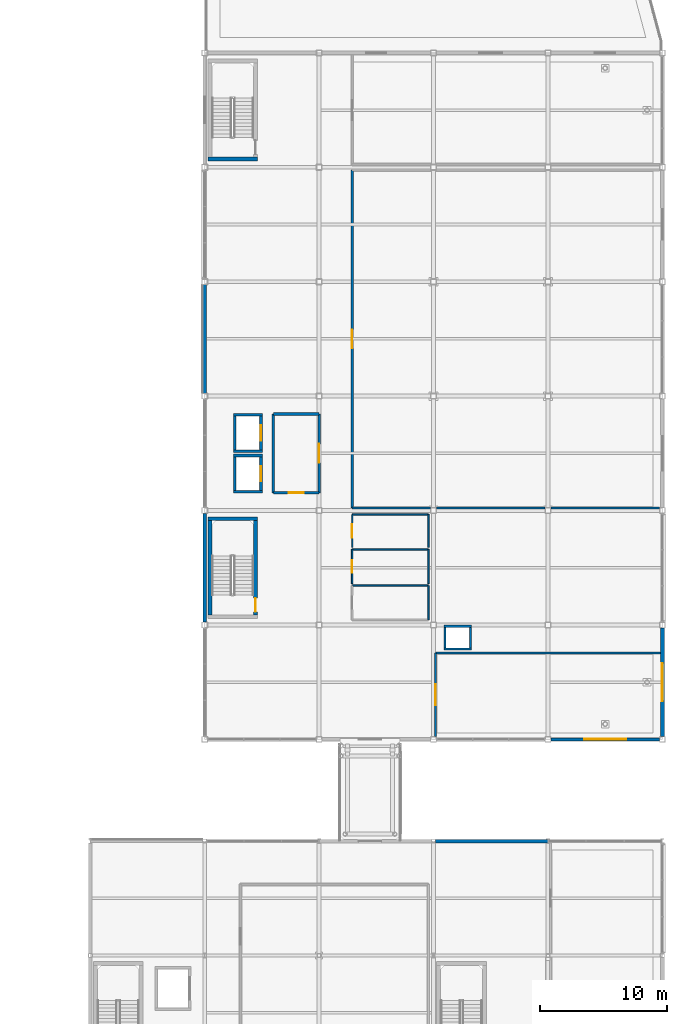
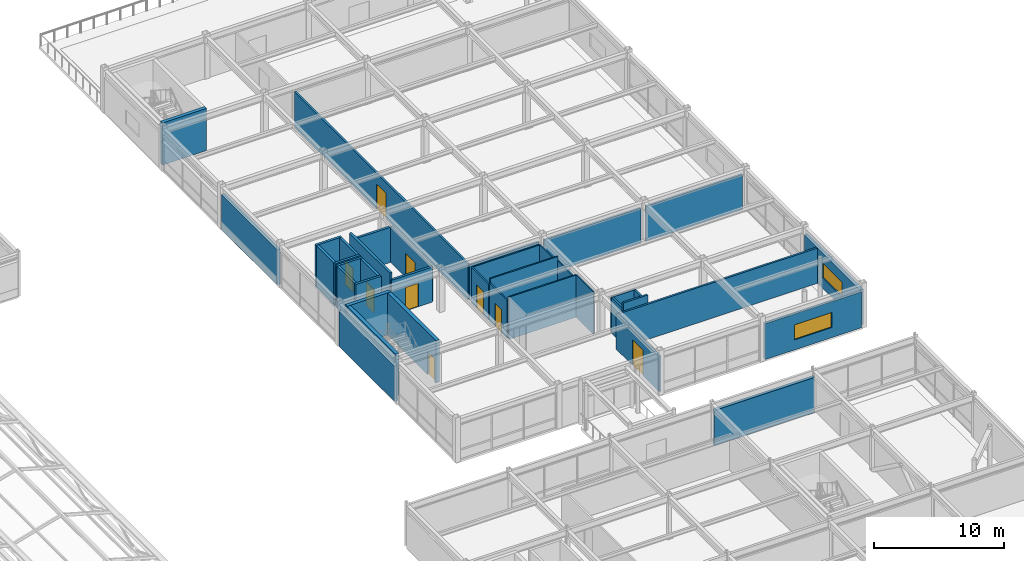
# One storey, part 82 of 108: 39 walls, 9 doors, 2 windows, 11 openings.
"""IFC4 building model written with IfcOpenShell, lengths in metres."""

import ifcopenshell
import ifcopenshell.guid

model = None  # the IFC model being written
_history = None  # IfcOwnerHistory: only IFC2X3 demands one
_inside = {}  # id of a spatial element -> (the spatial element, [elements in it])
_under = {}  # id of a project, library or spatial element -> (it, [spatial elements below it])
_declared = {}  # id of a project -> (the project, [libraries it declares])
_typed = {}  # id of a type object -> (the type object, [elements of that type])
_made_of = {}  # id of a material, layer set ... -> (it, [elements and type objects made of it])


def new_model(schema):
    """Start an empty IFC model of exactly this schema.

    Asked for "IFC4X3", IfcOpenShell would pick the latest addendum, in which some entities
    have other attributes; the version numbers below select the first issue.
    IFC2X3 requires an IfcOwnerHistory on every rooted entity: one is made here for all.
    """
    global model, _history
    if schema == "IFC4X3":
        model = ifcopenshell.file(schema_version=(4, 3, 0, 0))
    else:
        model = ifcopenshell.file(schema=schema)
    _inside.clear()
    _under.clear()
    _declared.clear()
    _typed.clear()
    _made_of.clear()
    _history = None
    if model.schema == "IFC2X3":
        org = make("IfcOrganization", Name="unknown")
        user = make(
            "IfcPersonAndOrganization",
            ThePerson=make("IfcPerson", FamilyName="unknown"),
            TheOrganization=org,
        )
        app = make(
            "IfcApplication",
            ApplicationDeveloper=org,
            Version="unknown",
            ApplicationFullName="unknown",
            ApplicationIdentifier="unknown",
        )
        _history = make(
            "IfcOwnerHistory",
            OwningUser=user,
            OwningApplication=app,
            ChangeAction="ADDED",
            CreationDate=0,
        )
    return model


def make(cls, **values):
    """One entity of the class cls with the attributes given. An attribute that is None is left unset."""
    return model.create_entity(
        cls, **{name: value for name, value in values.items() if value is not None}
    )


def rooted(cls, **values):
    """An entity with a GlobalId (a new one), such as an element, a storey or a relation."""
    return make(cls, GlobalId=ifcopenshell.guid.new(), OwnerHistory=_history, **values)


def si_unit(unit_type, name, prefix=None):
    """IfcSIUnit, for example si_unit("LENGTHUNIT", "METRE", prefix="MILLI")."""
    return make("IfcSIUnit", UnitType=unit_type, Prefix=prefix, Name=name)


def assignment(units):
    """IfcUnitAssignment: the units of a project."""
    return None if units is None else make("IfcUnitAssignment", Units=units)


def point(xyz):
    """IfcCartesianPoint."""
    return None if xyz is None else make("IfcCartesianPoint", Coordinates=xyz)


def direction(xyz):
    """IfcDirection."""
    return None if xyz is None else make("IfcDirection", DirectionRatios=xyz)


def frame(location, z_axis=None, x_axis=None):
    """IfcAxis2Placement3D, a coordinate frame: its origin and axes. An axis left out is left unset."""
    return make(
        "IfcAxis2Placement3D",
        Location=point(location),
        Axis=direction(z_axis),
        RefDirection=direction(x_axis),
    )


def frame_2d(location, x_axis=None):
    """IfcAxis2Placement2D, a coordinate frame in the plane: its origin and x axis."""
    return make(
        "IfcAxis2Placement2D", Location=point(location), RefDirection=direction(x_axis)
    )


def origin():
    """The frame at (0, 0, 0) with its axes left unset."""
    return frame((0.0, 0.0, 0.0))


def place(relative_to, where):
    """IfcLocalPlacement: puts the frame where relative to a parent placement (None: the world)."""
    return make(
        "IfcLocalPlacement", PlacementRelTo=relative_to, RelativePlacement=where
    )


def context(
    kind, dimensions, precision=None, world=None, true_north=None, identifier=None
):
    """IfcGeometricRepresentationContext, for example the 3D "Model" context."""
    return make(
        "IfcGeometricRepresentationContext",
        ContextIdentifier=identifier,
        ContextType=kind,
        CoordinateSpaceDimension=dimensions,
        Precision=precision,
        WorldCoordinateSystem=world,
        TrueNorth=true_north,
    )


def subcontext(parent, identifier, kind, view, scale=None):
    """IfcGeometricRepresentationSubContext, for example "Body" below "Model"."""
    return make(
        "IfcGeometricRepresentationSubContext",
        ContextIdentifier=identifier,
        ContextType=kind,
        ParentContext=parent,
        TargetScale=scale,
        TargetView=view,
    )


def project(units=None, contexts=None):
    """IfcProject with its units and contexts."""
    return rooted(
        "IfcProject",
        Name="project",
        RepresentationContexts=contexts,
        UnitsInContext=assignment(units),
    )


def spatial(cls, under=None, at=None, **own):
    """A site, building, storey or space (cls), placed at a placement, below another one or the project."""
    s = rooted(cls, ObjectPlacement=at, **own)
    if under is not None:
        _under.setdefault(under.id(), (under, []))[1].append(s)
    return s


def profile(cls, at=None, kind="AREA", **sizes):
    """A parametric profile (cls). Its sizes go by their IFC names, for example OverallWidth=200.0."""
    return make(cls, ProfileType=kind, Position=at, **sizes)


def rectangle(**sizes):
    """IfcRectangleProfileDef."""
    return profile("IfcRectangleProfileDef", **sizes)


def extrude(swept, where, along, depth):
    """IfcExtrudedAreaSolid: the profile swept, set in the frame where, extruded along a direction by depth."""
    return make(
        "IfcExtrudedAreaSolid",
        SweptArea=swept,
        Position=where,
        ExtrudedDirection=direction(along),
        Depth=depth,
    )


def shape(context_of_items, identifier, shape_type, items):
    """IfcShapeRepresentation: the items that make up one representation, for example the "Body"."""
    return make(
        "IfcShapeRepresentation",
        ContextOfItems=context_of_items,
        RepresentationIdentifier=identifier,
        RepresentationType=shape_type,
        Items=items,
    )


def material(Name=None, Category=None):
    """IfcMaterial."""
    return make("IfcMaterial", Name=Name, Category=Category)


def layer(
    of_material, thickness, ventilated=None, Name=None, Category=None, Priority=None
):
    """IfcMaterialLayer: one layer of a wall or slab, of a material (None: an air gap)."""
    return make(
        "IfcMaterialLayer",
        Material=of_material,
        LayerThickness=thickness,
        IsVentilated=ventilated,
        Name=Name,
        Category=Category,
        Priority=Priority,
    )


def layer_set(layers, Name=None):
    """IfcMaterialLayerSet."""
    return make("IfcMaterialLayerSet", MaterialLayers=layers, LayerSetName=Name)


def made_of(thing, what):
    """Note that an element or type object is made of a material, layer set ...; save() writes the relation."""
    if what is not None:
        _made_of.setdefault(what.id(), (what, []))[1].append(thing)
    return thing


def type_object(cls, material=None, **own):
    """A type object (cls), such as IfcWallType, which elements share."""
    return made_of(rooted(cls, **own), material)


def element(
    cls,
    number,
    at=None,
    inside=None,
    cuts=None,
    type_object=None,
    material=None,
    context=None,
    identifier="Body",
    shape_type=None,
    held_by="IfcProductDefinitionShape",
    body=None,
    shapes=None,
    **own,
):
    """One element of the class cls, such as IfcWall. Its Tag is "e" and its number.

    at: its placement. inside: the storey or other place that contains it. cuts: it is an
    opening in that element (IfcRelVoidsElement). A single representation is given by context,
    identifier, shape_type and body (its items); several are given by shapes. held_by: the class
    of the entity that holds the representations. save() writes the other relations.
    """
    e = rooted(cls, Tag="e%d" % number, ObjectPlacement=at, **own)
    if body is not None:
        shapes = [shape(context, identifier, shape_type, body)]
    if shapes is not None:
        e.Representation = make(held_by, Representations=shapes)
    if inside is not None:
        _inside.setdefault(inside.id(), (inside, []))[1].append(e)
    if cuts is not None:
        rooted(
            "IfcRelVoidsElement", RelatingBuildingElement=cuts, RelatedOpeningElement=e
        )
    if type_object is not None:
        _typed.setdefault(type_object.id(), (type_object, []))[1].append(e)
    return made_of(e, material)


def fill(opening, filler):
    """IfcRelFillsElement: the door or window that sits in an opening."""
    return rooted(
        "IfcRelFillsElement",
        RelatingOpeningElement=opening,
        RelatedBuildingElement=filler,
    )


def aggregate(whole, parts):
    """IfcRelAggregates: a whole, such as a stair, and the parts it consists of."""
    return rooted("IfcRelAggregates", RelatingObject=whole, RelatedObjects=parts)


def save(model, path):
    """Write the relations noted so far, then the file.

    IfcRelAggregates (storeys below a building ...), IfcRelContainedInSpatialStructure (elements
    in a storey), IfcRelDefinesByType, IfcRelAssociatesMaterial and IfcRelDeclares: one each for
    every whole, place, type object, material and project.
    """
    for whole, parts in _under.values():
        aggregate(whole, parts)
    for where, things in _inside.values():
        rooted(
            "IfcRelContainedInSpatialStructure",
            RelatedElements=things,
            RelatingStructure=where,
        )
    for kind, things in _typed.values():
        rooted("IfcRelDefinesByType", RelatedObjects=things, RelatingType=kind)
    for what, things in _made_of.values():
        rooted("IfcRelAssociatesMaterial", RelatedObjects=things, RelatingMaterial=what)
    for by, libraries in _declared.values():
        rooted("IfcRelDeclares", RelatingContext=by, RelatedDefinitions=libraries)
    model.write(path)


model = new_model("IFC4")

# Units and contexts
model_context = context("Model", 3, precision=1e-05, world=origin(), true_north=direction((0.0, 1.0)))
body_context = subcontext(model_context, "Body", "Model", "MODEL_VIEW")
ifc_project = project(units=[si_unit("LENGTHUNIT", "METRE"), si_unit("AREAUNIT", "SQUARE_METRE"), si_unit("VOLUMEUNIT", "CUBIC_METRE"), si_unit("PLANEANGLEUNIT", "RADIAN"), si_unit("MASSUNIT", "GRAM", prefix="KILO")], contexts=[model_context])

# Site, building, storey
site_placement = place(None, origin())
site = spatial("IfcSite", under=ifc_project, at=site_placement, CompositionType="ELEMENT")
building_placement = place(site_placement, origin())
building = spatial("IfcBuilding", under=site, at=building_placement, Name="Suzunagisa Mobility Hub", CompositionType="ELEMENT")
storey_placement = place(building_placement, frame((0.0, 0.0, 9.300048828125)))
storey = spatial("IfcBuildingStorey", under=building, at=storey_placement, Name="L02", CompositionType="ELEMENT", Elevation=9.300048828125)

# Wall, opening, window
ifc_material_1 = material(Name="Lightweight Insulated Autoclaved Concrete C30/37 Wall", Category="concrete")
ifc_layer_1 = layer(ifc_material_1, 0.239990234375)
ifc_layer_set_1 = layer_set([ifc_layer_1], Name="Lightweight Insulated Autoclaved Concrete C30/37 Wall")
wall_type_1 = type_object("IfcWallType", Name="Exterior Wall EW-04 240mm", PredefinedType="SOLIDWALL", material=ifc_layer_set_1)
wall_1_placement = place(storey_placement, frame((171.22509765625, 44.0, 0.0), z_axis=(0.0, 0.0, 1.0), x_axis=(1.0, 0.0, 0.0)))
wall_1 = element("IfcWall", 1, at=wall_1_placement, inside=storey, type_object=wall_type_1, Name="L02 Exterior Facade Wall EW-371", PredefinedType="SOLIDWALL", context=body_context, shape_type="SweptSolid", body=[
    extrude(rectangle(XDim=8.5498046875, YDim=0.239990234375, at=frame_2d((4.27490234375, 0.0))), origin(), (0.0, 0.0, 1.0), 3.362060546875),
])
opening_1_placement = place(wall_1_placement, frame((2.625, 0.0, 0.949951171875)))
opening_1 = element("IfcOpeningElement", 2, at=opening_1_placement, cuts=wall_1, Name="Opening WN-19", PredefinedType="OPENING", context=body_context, shape_type="SweptSolid", body=[
    extrude(rectangle(XDim=3.300048828125, YDim=1.39990234375, at=frame_2d((1.64990234375, 0.699951171875))), frame((0.0, 0.130859375, 0.0), z_axis=(0.0, -1.0, 0.0), x_axis=(1.0, 0.0, 0.0)), (0.0, 0.0, 1.0), 0.261962890625),
])
ifc_material_2 = material(Name="Thermally Broken Anodized Aluminum and Low-E Double Glazing", Category="aluminium")
window_type_1 = type_object("IfcWindowType", Name="Aluminum Window WN-19 3300x1400", PartitioningType="SINGLE_PANEL", PredefinedType="WINDOW", material=ifc_material_2)
window_1_placement = place(opening_1_placement, origin())
window_1 = element("IfcWindow", 3, at=window_1_placement, inside=storey, type_object=window_type_1, Name="L02 Scheduled Facade Window WN-124", OverallHeight=1.39990234375, OverallWidth=3.300048828125, PartitioningType="SINGLE_PANEL", PredefinedType="WINDOW", context=body_context, shape_type="SweptSolid", body=[
    extrude(rectangle(XDim=3.300048828125, YDim=1.39990234375, at=frame_2d((1.64990234375, 0.699951171875))), frame((0.0, 0.030029296875, 0.0), z_axis=(0.0, -1.0, 0.0), x_axis=(1.0, 0.0, 0.0)), (0.0, 0.0, 1.0), 0.06005859375),
])
fill(opening_1, window_1)

# Walls
ifc_material_3 = material(Name="Porcelain-Faced Insulated Concrete C30/37 Wall", Category="concrete")
ifc_layer_2 = layer(ifc_material_3, 0.280029296875)
ifc_layer_set_2 = layer_set([ifc_layer_2], Name="Porcelain-Faced Insulated Concrete C30/37 Wall")
wall_type_2 = type_object("IfcWallType", Name="Exterior Wall EW-08 280mm", PredefinedType="SOLIDWALL", material=ifc_layer_set_2)
wall_2_placement = place(storey_placement, frame((170.99560546875, 36.0, 0.0), z_axis=(0.0, 0.0, 1.0), x_axis=(-1.0, 0.0, 0.0)))
element("IfcWall", 4, at=wall_2_placement, inside=storey, type_object=wall_type_2, Name="L02 Exterior Facade Wall EW-313", PredefinedType="SOLIDWALL", context=body_context, shape_type="SweptSolid", body=[
    extrude(rectangle(XDim=8.845703125, YDim=0.280029296875, at=frame_2d((4.4228515625, 0.0))), origin(), (0.0, 0.0, 1.0), 3.300048828125),
])
wall_3_placement = place(storey_placement, frame((144.0, 61.77490234375, 0.0), z_axis=(0.0, 0.0, 1.0), x_axis=(0.0, -1.0, 0.0)))
element("IfcWall", 5, at=wall_3_placement, inside=storey, type_object=wall_type_2, Name="L02 Exterior Facade Wall EW-381", PredefinedType="SOLIDWALL", context=body_context, shape_type="SweptSolid", body=[
    extrude(rectangle(XDim=8.5498046875, YDim=0.280029296875, at=frame_2d((4.27490234375, 0.0))), origin(), (0.0, 0.0, 1.0), 3.300048828125),
])

# Wall, opening, window
ifc_material_4 = material(Name="Insulated Precast Concrete C35/45 Panel", Category="concrete")
ifc_layer_3 = layer(ifc_material_4, 0.300048828125)
ifc_layer_set_3 = layer_set([ifc_layer_3], Name="Insulated Precast Concrete C35/45 Panel")
wall_type_3 = type_object("IfcWallType", Name="Exterior Wall EW-09 300mm", PredefinedType="SOLIDWALL", material=ifc_layer_set_3)
wall_4_placement = place(storey_placement, frame((180.0, 44.22509765625, 0.0), z_axis=(0.0, 0.0, 1.0), x_axis=(0.0, 1.0, 0.0)))
wall_4 = element("IfcWall", 6, at=wall_4_placement, inside=storey, type_object=wall_type_3, Name="L02 Exterior Facade Wall EW-372", PredefinedType="SOLIDWALL", context=body_context, shape_type="SweptSolid", body=[
    extrude(rectangle(XDim=8.5498046875, YDim=0.300048828125, at=frame_2d((4.27490234375, 0.0))), origin(), (0.0, 0.0, 1.0), 3.300048828125),
])
opening_2_placement = place(wall_4_placement, frame((2.77490234375, 0.0, 0.949951171875)))
opening_2 = element("IfcOpeningElement", 7, at=opening_2_placement, cuts=wall_4, Name="Opening WN-09", PredefinedType="OPENING", context=body_context, shape_type="SweptSolid", body=[
    extrude(rectangle(XDim=3.0, YDim=1.39990234375, at=frame_2d((1.5, 0.699951171875))), frame((0.0, 0.1611328125, 0.0), z_axis=(0.0, -1.0, 0.0), x_axis=(1.0, 0.0, 0.0)), (0.0, 0.0, 1.0), 0.322021484375),
])
window_type_2 = type_object("IfcWindowType", Name="Aluminum Window WN-09 3000x1400", PartitioningType="SINGLE_PANEL", PredefinedType="WINDOW", material=ifc_material_2)
window_2_placement = place(opening_2_placement, origin())
window_2 = element("IfcWindow", 8, at=window_2_placement, inside=storey, type_object=window_type_2, Name="L02 Scheduled Facade Window WN-125", OverallHeight=1.39990234375, OverallWidth=3.0, PartitioningType="SINGLE_PANEL", PredefinedType="WINDOW", context=body_context, shape_type="SweptSolid", body=[
    extrude(rectangle(XDim=3.0, YDim=1.39990234375, at=frame_2d((1.5, 0.699951171875))), frame((0.0, 0.030029296875, 0.0), z_axis=(0.0, -1.0, 0.0), x_axis=(1.0, 0.0, 0.0)), (0.0, 0.0, 1.0), 0.06005859375),
])
fill(opening_2, window_2)

# Walls
wall_5_placement = place(storey_placement, frame((144.0, 79.77490234375, 0.0), z_axis=(0.0, 0.0, 1.0), x_axis=(0.0, -1.0, 0.0)))
element("IfcWall", 9, at=wall_5_placement, inside=storey, type_object=wall_type_3, Name="L02 Exterior Facade Wall EW-380", PredefinedType="SOLIDWALL", context=body_context, shape_type="SweptSolid", body=[
    extrude(rectangle(XDim=8.5498046875, YDim=0.300048828125, at=frame_2d((4.27490234375, 0.0))), origin(), (0.0, 0.0, 1.0), 3.300048828125),
])
ifc_material_5 = material(Name="Concrete C35/45", Category="concrete")
ifc_layer_4 = layer(ifc_material_5, 0.31005859375)
ifc_layer_set_4 = layer_set([ifc_layer_4], Name="Concrete C35/45")
wall_type_4 = type_object("IfcWallType", Name="Interior Wall IW-01 310mm", PredefinedType="SHEAR", material=ifc_layer_set_4)
wall_6_placement = place(storey_placement, frame((144.25, 61.35498046875, 0.0), z_axis=(0.0, 0.0, 1.0), x_axis=(1.0, 0.0, 0.0)))
element("IfcWall", 10, at=wall_6_placement, inside=storey, type_object=wall_type_4, Name="L02 Core C5 Shear Wall SW-402", PredefinedType="SHEAR", context=body_context, shape_type="SweptSolid", body=[
    extrude(rectangle(XDim=3.89990234375, YDim=0.31005859375, at=frame_2d((1.949951171875, 0.0))), origin(), (0.0, 0.0, 1.0), 3.949951171875),
])
wall_7_placement = place(storey_placement, frame((144.405029296875, 53.800048828125, 0.0), z_axis=(0.0, 0.0, 1.0), x_axis=(0.0, 1.0, 0.0)))
element("IfcWall", 11, at=wall_7_placement, inside=storey, type_object=wall_type_4, Name="L02 Core C5 Shear Wall SW-403", PredefinedType="SHEAR", context=body_context, shape_type="SweptSolid", body=[
    extrude(rectangle(XDim=7.39990234375, YDim=0.31005859375, at=frame_2d((3.699951171875, 0.0))), origin(), (0.0, 0.0, 1.0), 3.949951171875),
])

# Wall, opening, door
wall_8_placement = place(storey_placement, frame((147.9951171875, 53.800048828125, 0.0), z_axis=(0.0, 0.0, 1.0), x_axis=(0.0, 1.0, 0.0)))
wall_8 = element("IfcWall", 12, at=wall_8_placement, inside=storey, type_object=wall_type_4, Name="L02 Core C5 Shear Wall SW-404", PredefinedType="SHEAR", context=body_context, shape_type="SweptSolid", body=[
    extrude(rectangle(XDim=7.39990234375, YDim=0.31005859375, at=frame_2d((3.699951171875, 0.0))), origin(), (0.0, 0.0, 1.0), 3.949951171875),
])
opening_3_placement = place(wall_8_placement, frame((0.219970703125, 0.0, 0.0)))
opening_3 = element("IfcOpeningElement", 13, at=opening_3_placement, cuts=wall_8, Name="Opening DR-05", PredefinedType="OPENING", context=body_context, shape_type="SweptSolid", body=[
    extrude(rectangle(XDim=1.10009765625, YDim=2.14990234375, at=frame_2d((0.550048828125, 1.074951171875))), frame((0.0, 0.166015625, 0.0), z_axis=(0.0, -1.0, 0.0), x_axis=(1.0, 0.0, 0.0)), (0.0, 0.0, 1.0), 0.33203125),
])
ifc_material_6 = material(Name="Fire-Rated Hollow Steel Stair Door", Category="steel")
door_type_1 = type_object("IfcDoorType", Name="Interior Door DR-05 1100x2150", OperationType="SINGLE_SWING_LEFT", PredefinedType="DOOR", material=ifc_material_6)
door_1_placement = place(opening_3_placement, origin())
door_1 = element("IfcDoor", 14, at=door_1_placement, inside=storey, type_object=door_type_1, Name="L02 Core C5 Escape Stair Fire Door SD-98", OperationType="SINGLE_SWING_LEFT", OverallHeight=2.14990234375, OverallWidth=1.10009765625, PredefinedType="DOOR", context=body_context, shape_type="SweptSolid", body=[
    extrude(rectangle(XDim=1.10009765625, YDim=2.14990234375, at=frame_2d((0.550048828125, 1.074951171875))), frame((0.0, 0.02490234375, 0.0), z_axis=(0.0, -1.0, 0.0), x_axis=(1.0, 0.0, 0.0)), (0.0, 0.0, 1.0), 0.050048828125),
])
fill(opening_3, door_1)

# Walls
wall_9_placement = place(storey_placement, frame((144.25, 89.64501953125, 0.0), z_axis=(0.0, 0.0, 1.0), x_axis=(1.0, 0.0, 0.0)))
element("IfcWall", 15, at=wall_9_placement, inside=storey, type_object=wall_type_4, Name="L02 Core C5B Shear Wall SW-473", PredefinedType="SHEAR", context=body_context, shape_type="SweptSolid", body=[
    extrude(rectangle(XDim=3.89990234375, YDim=0.31005859375, at=frame_2d((1.949951171875, 0.0))), origin(), (0.0, 0.0, 1.0), 3.949951171875),
])
ifc_material_7 = material(Name="Moisture-Resistant Gypsum Partition", Category="gypsum")
ifc_layer_5 = layer(ifc_material_7, 0.1201171875)
ifc_layer_set_5 = layer_set([ifc_layer_5], Name="Moisture-Resistant Gypsum Partition")
wall_type_5 = type_object("IfcWallType", Name="Interior Wall IW-02 120mm", PredefinedType="PARTITIONING", material=ifc_layer_set_5)
wall_10_placement = place(storey_placement, frame((155.60009765625, 56.10009765625, 0.0), z_axis=(0.0, 0.0, 1.0), x_axis=(1.0, 0.0, 0.0)))
element("IfcWall", 16, at=wall_10_placement, inside=storey, type_object=wall_type_5, Name="L02 Male Restroom WC L02 Partition PW-596", PredefinedType="PARTITIONING", context=body_context, shape_type="SweptSolid", body=[
    extrude(rectangle(XDim=6.0, YDim=0.1201171875, at=frame_2d((3.0, 0.0))), origin(), (0.0, 0.0, 1.0), 3.949951171875),
])
wall_11_placement = place(storey_placement, frame((161.60009765625, 53.39990234375, 0.0), z_axis=(0.0, 0.0, 1.0), x_axis=(0.0, 1.0, 0.0)))
element("IfcWall", 17, at=wall_11_placement, inside=storey, type_object=wall_type_5, Name="L02 Male Restroom WC L02 Partition PW-598", PredefinedType="PARTITIONING", context=body_context, shape_type="SweptSolid", body=[
    extrude(rectangle(XDim=2.7001953125, YDim=0.1201171875, at=frame_2d((1.35009765625, 0.0))), origin(), (0.0, 0.0, 1.0), 3.949951171875),
])
wall_12_placement = place(storey_placement, frame((155.60009765625, 58.949951171875, 0.0), z_axis=(0.0, 0.0, 1.0), x_axis=(1.0, 0.0, 0.0)))
element("IfcWall", 18, at=wall_12_placement, inside=storey, type_object=wall_type_5, Name="L02 Female Restroom WC L02 Partition PW-599", PredefinedType="PARTITIONING", context=body_context, shape_type="SweptSolid", body=[
    extrude(rectangle(XDim=6.0, YDim=0.1201171875, at=frame_2d((3.0, 0.0))), origin(), (0.0, 0.0, 1.0), 3.949951171875),
])

# Wall, opening, door
wall_13_placement = place(storey_placement, frame((155.60009765625, 56.25, 0.0), z_axis=(0.0, 0.0, 1.0), x_axis=(0.0, 1.0, 0.0)))
wall_13 = element("IfcWall", 19, at=wall_13_placement, inside=storey, type_object=wall_type_5, Name="L02 Female Restroom WC L02 Partition PW-600", PredefinedType="PARTITIONING", context=body_context, shape_type="SweptSolid", body=[
    extrude(rectangle(XDim=2.699951171875, YDim=0.1201171875, at=frame_2d((1.35009765625, 0.0))), origin(), (0.0, 0.0, 1.0), 3.550048828125),
])
opening_4_placement = place(wall_13_placement, frame((0.875, 0.0, 0.0)))
opening_4 = element("IfcOpeningElement", 20, at=opening_4_placement, cuts=wall_13, Name="Opening DR-19", PredefinedType="OPENING", context=body_context, shape_type="SweptSolid", body=[
    extrude(rectangle(XDim=0.949951171875, YDim=2.14990234375, at=frame_2d((0.47509765625, 1.074951171875))), frame((0.0, 0.071044921875, 0.0), z_axis=(0.0, -1.0, 0.0), x_axis=(1.0, 0.0, 0.0)), (0.0, 0.0, 1.0), 0.14208984375),
])
ifc_material_8 = material(Name="Sanitary Restroom Acoustic Door")
door_type_2 = type_object("IfcDoorType", Name="Interior Door DR-19 950x2150", OperationType="SINGLE_SWING_LEFT", PredefinedType="DOOR", material=ifc_material_8)
door_2_placement = place(opening_4_placement, origin())
door_2 = element("IfcDoor", 21, at=door_2_placement, inside=storey, type_object=door_type_2, Name="L02 Female Restroom WC L02 Door DR-147", OperationType="SINGLE_SWING_RIGHT", OverallHeight=2.14990234375, OverallWidth=0.949951171875, PredefinedType="DOOR", context=body_context, shape_type="SweptSolid", body=[
    extrude(rectangle(XDim=0.949951171875, YDim=2.14990234375, at=frame_2d((0.47509765625, 1.074951171875))), frame((0.0, 0.02490234375, 0.0), z_axis=(0.0, -1.0, 0.0), x_axis=(1.0, 0.0, 0.0)), (0.0, 0.0, 1.0), 0.050048828125),
])
fill(opening_4, door_2)

# Walls
wall_14_placement = place(storey_placement, frame((161.60009765625, 56.25, 0.0), z_axis=(0.0, 0.0, 1.0), x_axis=(0.0, 1.0, 0.0)))
element("IfcWall", 22, at=wall_14_placement, inside=storey, type_object=wall_type_5, Name="L02 Female Restroom WC L02 Partition PW-601", PredefinedType="PARTITIONING", context=body_context, shape_type="SweptSolid", body=[
    extrude(rectangle(XDim=2.699951171875, YDim=0.1201171875, at=frame_2d((1.35009765625, 0.0))), origin(), (0.0, 0.0, 1.0), 3.550048828125),
])
wall_15_placement = place(storey_placement, frame((155.60009765625, 61.699951171875, 0.0), z_axis=(0.0, 0.0, 1.0), x_axis=(1.0, 0.0, 0.0)))
element("IfcWall", 23, at=wall_15_placement, inside=storey, type_object=wall_type_5, Name="L02 Accessible Restroom WC L02 Partition PW-602", PredefinedType="PARTITIONING", context=body_context, shape_type="SweptSolid", body=[
    extrude(rectangle(XDim=6.0, YDim=0.1201171875, at=frame_2d((3.0, 0.0))), origin(), (0.0, 0.0, 1.0), 3.362060546875),
])

# Wall, opening, door
wall_16_placement = place(storey_placement, frame((155.60009765625, 59.10009765625, 0.0), z_axis=(0.0, 0.0, 1.0), x_axis=(0.0, 1.0, 0.0)))
wall_16 = element("IfcWall", 24, at=wall_16_placement, inside=storey, type_object=wall_type_5, Name="L02 Accessible Restroom WC L02 Partition PW-603", PredefinedType="PARTITIONING", context=body_context, shape_type="SweptSolid", body=[
    extrude(rectangle(XDim=2.599853515625, YDim=0.1201171875, at=frame_2d((1.2998046875, 0.0))), origin(), (0.0, 0.0, 1.0), 3.362060546875),
])
opening_5_placement = place(wall_16_placement, frame((0.77490234375, 0.0, 0.0)))
opening_5 = element("IfcOpeningElement", 25, at=opening_5_placement, cuts=wall_16, Name="Opening DR-16", PredefinedType="OPENING", context=body_context, shape_type="SweptSolid", body=[
    extrude(rectangle(XDim=1.050048828125, YDim=2.199951171875, at=frame_2d((0.52490234375, 1.10009765625))), frame((0.0, 0.071044921875, 0.0), z_axis=(0.0, -1.0, 0.0), x_axis=(1.0, 0.0, 0.0)), (0.0, 0.0, 1.0), 0.14208984375),
])
ifc_material_9 = material(Name="Barrier-Free Club Accessible WC Door")
door_type_3 = type_object("IfcDoorType", Name="Interior Door DR-16 1050x2200", OperationType="SINGLE_SWING_LEFT", PredefinedType="DOOR", material=ifc_material_9)
door_3_placement = place(opening_5_placement, origin())
door_3 = element("IfcDoor", 26, at=door_3_placement, inside=storey, type_object=door_type_3, Name="L02 Accessible Restroom WC L02 Door DR-148", OperationType="SINGLE_SWING_LEFT", OverallHeight=2.199951171875, OverallWidth=1.050048828125, PredefinedType="DOOR", context=body_context, shape_type="SweptSolid", body=[
    extrude(rectangle(XDim=1.050048828125, YDim=2.199951171875, at=frame_2d((0.52490234375, 1.10009765625))), frame((0.0, 0.02490234375, 0.0), z_axis=(0.0, -1.0, 0.0), x_axis=(1.0, 0.0, 0.0)), (0.0, 0.0, 1.0), 0.050048828125),
])
fill(opening_5, door_3)

# Wall
wall_17_placement = place(storey_placement, frame((161.60009765625, 59.10009765625, 0.0), z_axis=(0.0, 0.0, 1.0), x_axis=(0.0, 1.0, 0.0)))
element("IfcWall", 27, at=wall_17_placement, inside=storey, type_object=wall_type_5, Name="L02 Accessible Restroom WC L02 Partition PW-604", PredefinedType="PARTITIONING", context=body_context, shape_type="SweptSolid", body=[
    extrude(rectangle(XDim=2.599853515625, YDim=0.1201171875, at=frame_2d((1.2998046875, 0.0))), origin(), (0.0, 0.0, 1.0), 3.362060546875),
])

# Wall, opening, door
ifc_material_10 = material(Name="Fire-Rated Gypsum Stud Partition", Category="gypsum")
ifc_layer_6 = layer(ifc_material_10, 0.2099609375)
ifc_layer_set_6 = layer_set([ifc_layer_6], Name="Fire-Rated Gypsum Stud Partition")
wall_type_6 = type_object("IfcWallType", Name="Interior Wall IW-03 210mm", PredefinedType="PARTITIONING", material=ifc_layer_set_6)
wall_18_placement = place(storey_placement, frame((148.425048828125, 63.580078125, 0.0), z_axis=(0.0, 0.0, 1.0), x_axis=(0.0, 1.0, 0.0)))
wall_18 = element("IfcWall", 28, at=wall_18_placement, inside=storey, type_object=wall_type_6, Name="L02 Lift LF-05 Shaft Front Wall", PredefinedType="PARTITIONING", context=body_context, shape_type="SweptSolid", body=[
    extrude(rectangle(XDim=2.639892578125, YDim=0.2099609375, at=frame_2d((1.31982421875, 0.0))), origin(), (0.0, 0.0, 1.0), 3.949951171875),
])
opening_6_placement = place(wall_18_placement, frame((0.719970703125, 0.0, 0.0)))
opening_6 = element("IfcOpeningElement", 29, at=opening_6_placement, cuts=wall_18, Name="Opening LD-03", PredefinedType="OPENING", context=body_context, shape_type="SweptSolid", body=[
    extrude(rectangle(XDim=1.199951171875, YDim=2.199951171875, at=frame_2d((0.60009765625, 1.10009765625))), frame((0.0, 0.115966796875, 0.0), z_axis=(0.0, -1.0, 0.0), x_axis=(1.0, 0.0, 0.0)), (0.0, 0.0, 1.0), 0.23193359375),
])
ifc_material_11 = material(Name="Brushed Stainless Steel SUS304", Category="metal")
door_type_4 = type_object("IfcDoorType", Name="Lift Landing Sliding Door LD-03 1200x2200", OperationType="SLIDING_TO_LEFT", PredefinedType="DOOR", material=ifc_material_11)
door_4_placement = place(opening_6_placement, origin())
door_4 = element("IfcDoor", 30, at=door_4_placement, inside=storey, type_object=door_type_4, Name="L02 Lift LF-05 Sliding Landing Door", OperationType="SLIDING_TO_LEFT", OverallHeight=2.199951171875, OverallWidth=1.199951171875, PredefinedType="DOOR", context=body_context, shape_type="SweptSolid", body=[
    extrude(rectangle(XDim=1.199951171875, YDim=2.199951171875, at=frame_2d((0.60009765625, 1.10009765625))), frame((0.0, 0.02490234375, 0.0), z_axis=(0.0, -1.0, 0.0), x_axis=(1.0, 0.0, 0.0)), (0.0, 0.0, 1.0), 0.050048828125),
])
fill(opening_6, door_4)

# Walls
wall_19_placement = place(storey_placement, frame((146.375, 63.580078125, 0.0), z_axis=(0.0, 0.0, 1.0), x_axis=(0.0, 1.0, 0.0)))
element("IfcWall", 31, at=wall_19_placement, inside=storey, type_object=wall_type_6, Name="L02 Lift LF-05 Shaft Back Wall", PredefinedType="PARTITIONING", context=body_context, shape_type="SweptSolid", body=[
    extrude(rectangle(XDim=2.639892578125, YDim=0.2099609375, at=frame_2d((1.31982421875, 0.0))), origin(), (0.0, 0.0, 1.0), 3.949951171875),
])
for number, where, z_axis, x_axis, name in (
    (32, (146.27001953125, 63.47509765625, 0.0), (0.0, 0.0, 1.0), (1.0, 0.0, 0.0), "L02 Lift LF-05 Shaft South Wall"),
    (33, (146.27001953125, 66.324951171875, 0.0), (0.0, 0.0, 1.0), (1.0, 0.0, 0.0), "L02 Lift LF-05 Shaft North Wall"),
):
    element("IfcWall", number, at=place(storey_placement, frame(where, z_axis=z_axis, x_axis=x_axis)), inside=storey, type_object=wall_type_6, Name=name, PredefinedType="PARTITIONING", context=body_context, shape_type="SweptSolid", body=[
        extrude(rectangle(XDim=2.260009765625, YDim=0.2099609375, at=frame_2d((1.1298828125, 0.0))), origin(), (0.0, 0.0, 1.0), 3.949951171875),
    ])

# Wall, opening, door
wall_20_placement = place(storey_placement, frame((148.425048828125, 66.780029296875, 0.0), z_axis=(0.0, 0.0, 1.0), x_axis=(0.0, 1.0, 0.0)))
wall_20 = element("IfcWall", 34, at=wall_20_placement, inside=storey, type_object=wall_type_6, Name="L02 Lift LF-06 Shaft Front Wall", PredefinedType="PARTITIONING", context=body_context, shape_type="SweptSolid", body=[
    extrude(rectangle(XDim=2.639892578125, YDim=0.2099609375, at=frame_2d((1.31982421875, 0.0))), origin(), (0.0, 0.0, 1.0), 3.949951171875),
])
opening_7_placement = place(wall_20_placement, frame((0.719970703125, 0.0, 0.0)))
opening_7 = element("IfcOpeningElement", 35, at=opening_7_placement, cuts=wall_20, Name="Opening LD-03", PredefinedType="OPENING", context=body_context, shape_type="SweptSolid", body=[
    extrude(rectangle(XDim=1.199951171875, YDim=2.199951171875, at=frame_2d((0.60009765625, 1.10009765625))), frame((0.0, 0.115966796875, 0.0), z_axis=(0.0, -1.0, 0.0), x_axis=(1.0, 0.0, 0.0)), (0.0, 0.0, 1.0), 0.23193359375),
])
door_5_placement = place(opening_7_placement, origin())
door_5 = element("IfcDoor", 36, at=door_5_placement, inside=storey, type_object=door_type_4, Name="L02 Lift LF-06 Sliding Landing Door", OperationType="SLIDING_TO_RIGHT", OverallHeight=2.199951171875, OverallWidth=1.199951171875, PredefinedType="DOOR", context=body_context, shape_type="SweptSolid", body=[
    extrude(rectangle(XDim=1.199951171875, YDim=2.199951171875, at=frame_2d((0.60009765625, 1.10009765625))), frame((0.0, 0.02490234375, 0.0), z_axis=(0.0, -1.0, 0.0), x_axis=(1.0, 0.0, 0.0)), (0.0, 0.0, 1.0), 0.050048828125),
])
fill(opening_7, door_5)

# Walls
wall_21_placement = place(storey_placement, frame((146.375, 66.780029296875, 0.0), z_axis=(0.0, 0.0, 1.0), x_axis=(0.0, 1.0, 0.0)))
element("IfcWall", 37, at=wall_21_placement, inside=storey, type_object=wall_type_6, Name="L02 Lift LF-06 Shaft Back Wall", PredefinedType="PARTITIONING", context=body_context, shape_type="SweptSolid", body=[
    extrude(rectangle(XDim=2.639892578125, YDim=0.2099609375, at=frame_2d((1.31982421875, 0.0))), origin(), (0.0, 0.0, 1.0), 3.949951171875),
])
for number, where, z_axis, x_axis, name in (
    (38, (146.27001953125, 66.675048828125, 0.0), (0.0, 0.0, 1.0), (1.0, 0.0, 0.0), "L02 Lift LF-06 Shaft South Wall"),
    (39, (146.27001953125, 69.52490234375, 0.0), (0.0, 0.0, 1.0), (1.0, 0.0, 0.0), "L02 Lift LF-06 Shaft North Wall"),
):
    element("IfcWall", number, at=place(storey_placement, frame(where, z_axis=z_axis, x_axis=x_axis)), inside=storey, type_object=wall_type_6, Name=name, PredefinedType="PARTITIONING", context=body_context, shape_type="SweptSolid", body=[
        extrude(rectangle(XDim=2.260009765625, YDim=0.2099609375, at=frame_2d((1.1298828125, 0.0))), origin(), (0.0, 0.0, 1.0), 3.949951171875),
    ])

# Wall, opening, door
wall_22_placement = place(storey_placement, frame((149.39990234375, 63.39990234375, 0.0), z_axis=(0.0, 0.0, 1.0), x_axis=(1.0, 0.0, 0.0)))
wall_22 = element("IfcWall", 40, at=wall_22_placement, inside=storey, type_object=wall_type_6, Name="L02 Firefighting Lift Lobby L02 Partition PW-545", PredefinedType="PARTITIONING", context=body_context, shape_type="SweptSolid", body=[
    extrude(rectangle(XDim=3.60009765625, YDim=0.2099609375, at=frame_2d((1.800048828125, 0.0))), origin(), (0.0, 0.0, 1.0), 3.300048828125),
])
opening_8_placement = place(wall_22_placement, frame((1.22509765625, 0.0, 0.0)))
opening_8 = element("IfcOpeningElement", 41, at=opening_8_placement, cuts=wall_22, Name="Opening DR-20", PredefinedType="OPENING", context=body_context, shape_type="SweptSolid", body=[
    extrude(rectangle(XDim=1.14990234375, YDim=2.199951171875, at=frame_2d((0.574951171875, 1.10009765625))), frame((0.0, 0.115966796875, 0.0), z_axis=(0.0, -1.0, 0.0), x_axis=(1.0, 0.0, 0.0)), (0.0, 0.0, 1.0), 0.23193359375),
])
door_type_5 = type_object("IfcDoorType", Name="Interior Door DR-20 1150x2200", OperationType="SINGLE_SWING_LEFT", PredefinedType="DOOR", material=ifc_material_6)
door_6_placement = place(opening_8_placement, origin())
door_6 = element("IfcDoor", 42, at=door_6_placement, inside=storey, type_object=door_type_5, Name="L02 Firefighting Lobby to Escape Stair Door SD-127", OperationType="SINGLE_SWING_RIGHT", OverallHeight=2.199951171875, OverallWidth=1.14990234375, PredefinedType="DOOR", context=body_context, shape_type="SweptSolid", body=[
    extrude(rectangle(XDim=1.14990234375, YDim=2.199951171875, at=frame_2d((0.574951171875, 1.10009765625))), frame((0.0, 0.02490234375, 0.0), z_axis=(0.0, -1.0, 0.0), x_axis=(1.0, 0.0, 0.0)), (0.0, 0.0, 1.0), 0.050048828125),
])
fill(opening_8, door_6)

# Walls
wall_23_placement = place(storey_placement, frame((149.39990234375, 69.60009765625, 0.0), z_axis=(0.0, 0.0, 1.0), x_axis=(1.0, 0.0, 0.0)))
element("IfcWall", 43, at=wall_23_placement, inside=storey, type_object=wall_type_6, Name="L02 Firefighting Lift Lobby L02 Partition PW-546", PredefinedType="PARTITIONING", context=body_context, shape_type="SweptSolid", body=[
    extrude(rectangle(XDim=3.60009765625, YDim=0.2099609375, at=frame_2d((1.800048828125, 0.0))), origin(), (0.0, 0.0, 1.0), 3.300048828125),
])
wall_24_placement = place(storey_placement, frame((149.39990234375, 63.39990234375, 0.0), z_axis=(0.0, 0.0, 1.0), x_axis=(0.0, 1.0, 0.0)))
element("IfcWall", 44, at=wall_24_placement, inside=storey, type_object=wall_type_6, Name="L02 Firefighting Lift Lobby L02 Partition PW-547", PredefinedType="PARTITIONING", context=body_context, shape_type="SweptSolid", body=[
    extrude(rectangle(XDim=6.2001953125, YDim=0.2099609375, at=frame_2d((3.10009765625, 0.0))), origin(), (0.0, 0.0, 1.0), 3.949951171875),
])

# Wall, opening, door
wall_25_placement = place(storey_placement, frame((153.0, 63.39990234375, 0.0), z_axis=(0.0, 0.0, 1.0), x_axis=(0.0, 1.0, 0.0)))
wall_25 = element("IfcWall", 45, at=wall_25_placement, inside=storey, type_object=wall_type_6, Name="L02 Firefighting Lift Lobby L02 Partition PW-548", PredefinedType="PARTITIONING", context=body_context, shape_type="SweptSolid", body=[
    extrude(rectangle(XDim=6.2001953125, YDim=0.2099609375, at=frame_2d((3.10009765625, 0.0))), origin(), (0.0, 0.0, 1.0), 3.300048828125),
])
opening_9_placement = place(wall_25_placement, frame((2.35009765625, 0.0, 0.0)))
opening_9 = element("IfcOpeningElement", 46, at=opening_9_placement, cuts=wall_25, Name="Opening DR-15", PredefinedType="OPENING", context=body_context, shape_type="SweptSolid", body=[
    extrude(rectangle(XDim=1.5, YDim=2.25, at=frame_2d((0.75, 1.125))), frame((0.0, 0.115966796875, 0.0), z_axis=(0.0, -1.0, 0.0), x_axis=(1.0, 0.0, 0.0)), (0.0, 0.0, 1.0), 0.23193359375),
])
ifc_material_12 = material(Name="Smoke-Control Double Fire Door")
door_type_6 = type_object("IfcDoorType", Name="Interior Door DR-15 1500x2250", OperationType="SINGLE_SWING_LEFT", PredefinedType="DOOR", material=ifc_material_12)
door_7_placement = place(opening_9_placement, origin())
door_7 = element("IfcDoor", 47, at=door_7_placement, inside=storey, type_object=door_type_6, Name="L02 Firefighting Lift Lobby L02 Door DR-128", OperationType="SINGLE_SWING_LEFT", OverallHeight=2.25, OverallWidth=1.5, PredefinedType="DOOR", context=body_context, shape_type="SweptSolid", body=[
    extrude(rectangle(XDim=1.5, YDim=2.25, at=frame_2d((0.75, 1.125))), frame((0.0, 0.02490234375, 0.0), z_axis=(0.0, -1.0, 0.0), x_axis=(1.0, 0.0, 0.0)), (0.0, 0.0, 1.0), 0.050048828125),
])
fill(opening_9, door_7)

# Walls
ifc_layer_7 = layer(ifc_material_10, 0.169921875)
ifc_layer_set_7 = layer_set([ifc_layer_7], Name="Fire-Rated Gypsum Stud Partition")
wall_type_7 = type_object("IfcWallType", Name="Interior Wall IW-05 170mm", PredefinedType="PARTITIONING", material=ifc_layer_set_7)
wall_26_placement = place(storey_placement, frame((162.81494140625, 51.10009765625, 0.0), z_axis=(0.0, 0.0, 1.0), x_axis=(1.0, 0.0, 0.0)))
element("IfcWall", 48, at=wall_26_placement, inside=storey, type_object=wall_type_7, Name="L02 MEP Service Riser Wall RW-513", PredefinedType="PARTITIONING", context=body_context, shape_type="SweptSolid", body=[
    extrude(rectangle(XDim=2.170166015625, YDim=0.169921875, at=frame_2d((1.0849609375, 0.0))), origin(), (0.0, 0.0, 1.0), 3.919921875),
])
wall_27_placement = place(storey_placement, frame((162.81494140625, 52.89990234375, 0.0), z_axis=(0.0, 0.0, 1.0), x_axis=(1.0, 0.0, 0.0)))
element("IfcWall", 49, at=wall_27_placement, inside=storey, type_object=wall_type_7, Name="L02 MEP Service Riser Wall RW-514", PredefinedType="PARTITIONING", context=body_context, shape_type="SweptSolid", body=[
    extrude(rectangle(XDim=2.170166015625, YDim=0.169921875, at=frame_2d((1.0849609375, 0.0))), origin(), (0.0, 0.0, 1.0), 3.362060546875),
])
for number, where, z_axis, x_axis, name in (
    (50, (162.89990234375, 51.18505859375, 0.0), (0.0, 0.0, 1.0), (0.0, 1.0, 0.0), "L02 MEP Service Riser Wall RW-515"),
    (51, (164.89990234375, 51.18505859375, 0.0), (0.0, 0.0, 1.0), (0.0, 1.0, 0.0), "L02 MEP Service Riser Wall RW-516"),
):
    element("IfcWall", number, at=place(storey_placement, frame(where, z_axis=z_axis, x_axis=x_axis)), inside=storey, type_object=wall_type_7, Name=name, PredefinedType="PARTITIONING", context=body_context, shape_type="SweptSolid", body=[
        extrude(rectangle(XDim=1.6298828125, YDim=0.169921875, at=frame_2d((0.81494140625, 0.0))), origin(), (0.0, 0.0, 1.0), 3.362060546875),
    ])
wall_28_placement = place(storey_placement, frame((155.60009765625, 62.199951171875, 0.0), z_axis=(0.0, 0.0, 1.0), x_axis=(1.0, 0.0, 0.0)))
element("IfcWall", 52, at=wall_28_placement, inside=storey, type_object=wall_type_7, Name="L02 Community Mobility Exhibition and Civic Forum Hall Partition PW-832", PredefinedType="PARTITIONING", context=body_context, shape_type="SweptSolid", body=[
    extrude(rectangle(XDim=6.1748046875, YDim=0.169921875, at=frame_2d((3.08740234375, 0.0))), origin(), (0.0, 0.0, 1.0), 3.300048828125),
])
for number, where, z_axis, x_axis, name in (
    (53, (162.22509765625, 62.199951171875, 0.0), (0.0, 0.0, 1.0), (1.0, 0.0, 0.0), "L02 Community Mobility Exhibition and Civic Forum Hall Partition PW-833"),
    (54, (171.22509765625, 62.199951171875, 0.0), (0.0, 0.0, 1.0), (1.0, 0.0, 0.0), "L02 Community Mobility Exhibition and Civic Forum Hall Partition PW-834"),
):
    element("IfcWall", number, at=place(storey_placement, frame(where, z_axis=z_axis, x_axis=x_axis)), inside=storey, type_object=wall_type_7, Name=name, PredefinedType="PARTITIONING", context=body_context, shape_type="SweptSolid", body=[
        extrude(rectangle(XDim=8.5498046875, YDim=0.169921875, at=frame_2d((4.27490234375, 0.0))), origin(), (0.0, 0.0, 1.0), 3.300048828125),
    ])

# Wall, opening, door
wall_29_placement = place(storey_placement, frame((155.60009765625, 62.199951171875, 0.0), z_axis=(0.0, 0.0, 1.0), x_axis=(0.0, 1.0, 0.0)))
wall_29 = element("IfcWall", 55, at=wall_29_placement, inside=storey, type_object=wall_type_7, Name="L02 Community Mobility Exhibition and Civic Forum Hall Partition PW-838", PredefinedType="PARTITIONING", context=body_context, shape_type="SweptSolid", body=[
    extrude(rectangle(XDim=26.60009765625, YDim=0.169921875, at=frame_2d((13.300048828125, 0.0))), origin(), (0.0, 0.0, 1.0), 3.362060546875),
])
opening_10_placement = place(wall_29_placement, frame((12.56005859375, 0.0, 0.0)))
opening_10 = element("IfcOpeningElement", 56, at=opening_10_placement, cuts=wall_29, Name="Opening DR-23", PredefinedType="OPENING", context=body_context, shape_type="SweptSolid", body=[
    extrude(rectangle(XDim=1.47998046875, YDim=2.35009765625, at=frame_2d((0.739990234375, 1.175048828125))), frame((0.0, 0.095947265625, 0.0), z_axis=(0.0, -1.0, 0.0), x_axis=(1.0, 0.0, 0.0)), (0.0, 0.0, 1.0), 0.19189453125),
])
ifc_material_13 = material(Name="Anodized Aluminum Double Lounge Door", Category="aluminium")
door_type_7 = type_object("IfcDoorType", Name="Interior Door DR-23 1480x2350", OperationType="SINGLE_SWING_LEFT", PredefinedType="DOOR", material=ifc_material_13)
door_8_placement = place(opening_10_placement, origin())
door_8 = element("IfcDoor", 57, at=door_8_placement, inside=storey, type_object=door_type_7, Name="L02 Community Mobility Exhibition and Civic Forum Hall Door DR-208", OperationType="SINGLE_SWING_LEFT", OverallHeight=2.35009765625, OverallWidth=1.47998046875, PredefinedType="DOOR", context=body_context, shape_type="SweptSolid", body=[
    extrude(rectangle(XDim=1.47998046875, YDim=2.35009765625, at=frame_2d((0.739990234375, 1.175048828125))), frame((0.0, 0.02490234375, 0.0), z_axis=(0.0, -1.0, 0.0), x_axis=(1.0, 0.0, 0.0)), (0.0, 0.0, 1.0), 0.050048828125),
])
fill(opening_10, door_8)

# Wall
wall_30_placement = place(storey_placement, frame((162.14990234375, 50.800048828125, 0.0), z_axis=(0.0, 0.0, 1.0), x_axis=(1.0, 0.0, 0.0)))
element("IfcWall", 58, at=wall_30_placement, inside=storey, type_object=wall_type_7, Name="L02 Smart-Grid V2G Energy Management Office Partition PW-843", PredefinedType="PARTITIONING", context=body_context, shape_type="SweptSolid", body=[
    extrude(rectangle(XDim=17.68505859375, YDim=0.169921875, at=frame_2d((8.842529296875, 0.0))), origin(), (0.0, 0.0, 1.0), 3.300048828125),
])

# Wall, opening, door
wall_31_placement = place(storey_placement, frame((162.14990234375, 44.22509765625, 0.0), z_axis=(0.0, 0.0, 1.0), x_axis=(0.0, 1.0, 0.0)))
wall_31 = element("IfcWall", 59, at=wall_31_placement, inside=storey, type_object=wall_type_7, Name="L02 Smart-Grid V2G Energy Management Office Partition PW-844", PredefinedType="PARTITIONING", context=body_context, shape_type="SweptSolid", body=[
    extrude(rectangle(XDim=6.574951171875, YDim=0.169921875, at=frame_2d((3.28759765625, 0.0))), origin(), (0.0, 0.0, 1.0), 3.300048828125),
])
opening_11_placement = place(wall_31_placement, frame((2.455078125, 0.0, 0.0)))
opening_11 = element("IfcOpeningElement", 60, at=opening_11_placement, cuts=wall_31, Name="Opening DR-06", PredefinedType="OPENING", context=body_context, shape_type="SweptSolid", body=[
    extrude(rectangle(XDim=1.639892578125, YDim=2.39990234375, at=frame_2d((0.81982421875, 1.199951171875))), frame((0.0, 0.095947265625, 0.0), z_axis=(0.0, -1.0, 0.0), x_axis=(1.0, 0.0, 0.0)), (0.0, 0.0, 1.0), 0.19189453125),
])
ifc_material_14 = material(Name="Anodized Aluminum Double Hall Door", Category="aluminium")
door_type_8 = type_object("IfcDoorType", Name="Interior Door DR-06 1640x2400", OperationType="SINGLE_SWING_LEFT", PredefinedType="DOOR", material=ifc_material_14)
door_9_placement = place(opening_11_placement, origin())
door_9 = element("IfcDoor", 61, at=door_9_placement, inside=storey, type_object=door_type_8, Name="L02 Smart-Grid V2G Energy Management Office Door DR-210", OperationType="SINGLE_SWING_LEFT", OverallHeight=2.39990234375, OverallWidth=1.639892578125, PredefinedType="DOOR", context=body_context, shape_type="SweptSolid", body=[
    extrude(rectangle(XDim=1.639892578125, YDim=2.39990234375, at=frame_2d((0.81982421875, 1.199951171875))), frame((0.0, 0.02490234375, 0.0), z_axis=(0.0, -1.0, 0.0), x_axis=(1.0, 0.0, 0.0)), (0.0, 0.0, 1.0), 0.050048828125),
])
fill(opening_11, door_9)

save(model, "model.ifc")
